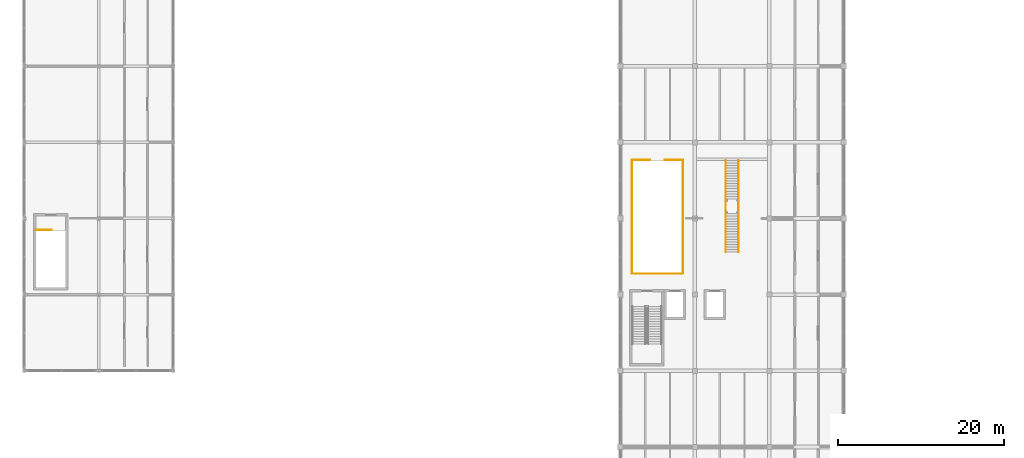
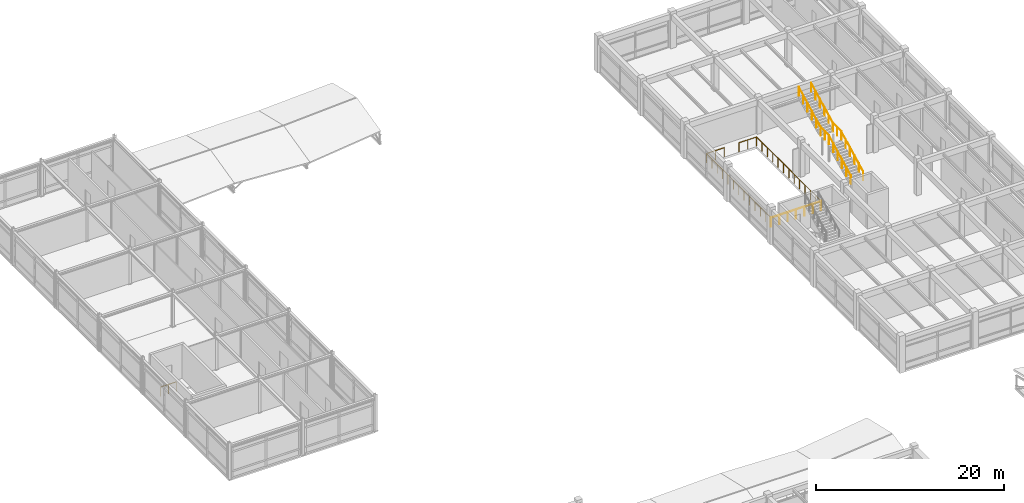
# One storey, part 87 of 90: 12 railings.
"""IFC4 building model written with IfcOpenShell, lengths in metres."""

from ifc_helpers import new_model, si_unit, direction, frame, origin, origin_2d, place, context, subcontext, project, spatial, circle, extrude, material, type_object, element, save


model = new_model("IFC4")

# Units and contexts
model_context = context("Model", 3, precision=1e-05, world=origin(), true_north=direction((0.0, 1.0)))
body_context = subcontext(model_context, "Body", "Model", "MODEL_VIEW")
ifc_project = project(units=[si_unit("LENGTHUNIT", "METRE"), si_unit("AREAUNIT", "SQUARE_METRE"), si_unit("VOLUMEUNIT", "CUBIC_METRE"), si_unit("PLANEANGLEUNIT", "RADIAN"), si_unit("MASSUNIT", "GRAM", prefix="KILO")], contexts=[model_context])

# Site, building, storey
site_placement = place(None, origin())
site = spatial("IfcSite", under=ifc_project, at=site_placement, CompositionType="ELEMENT")
building_placement = place(site_placement, origin())
building = spatial("IfcBuilding", under=site, at=building_placement, Name="Bozkorgan Art Gallery", CompositionType="ELEMENT")
storey_placement = place(building_placement, frame((0.0, 0.0, 5.39990234375)))
storey = spatial("IfcBuildingStorey", under=building, at=storey_placement, Name="L01", CompositionType="ELEMENT", Elevation=5.39990234375)

# Railings
ifc_material = material(Name="Steel S355J2", Category="steel")
railing_type_1 = type_object("IfcRailingType", Name="RAIL-BAL-INT", PredefinedType="BALUSTRADE", material=ifc_material)
railing_1_placement = place(storey_placement, frame((75.419921875, 68.52001953125, 0.0)))
element("IfcRailing", 1, at=railing_1_placement, inside=storey, type_object=railing_type_1, Name="V4 L01 concourse_west_atrium guard S", PredefinedType="BALUSTRADE", context=body_context, shape_type="SweptSolid", body=[
    extrude(circle(Radius=0.02392578125, at=origin_2d()), frame((0.0, 0.0, 1.17578125), z_axis=(1.0, 0.0, 0.0), x_axis=(0.0, 1.0, 0.0)), (0.0, 0.0, 1.0), 6.16015625),
    extrude(circle(Radius=0.02099609375, at=origin_2d()), origin(), (0.0, 0.0, 1.0), 1.15185546875),
    extrude(circle(Radius=0.02099609375, at=origin_2d()), frame((1.026611328125, 0.0, 0.0)), (0.0, 0.0, 1.0), 1.15185546875),
    extrude(circle(Radius=0.02099609375, at=origin_2d()), frame((2.053466796875, 0.0, 0.0)), (0.0, 0.0, 1.0), 1.15185546875),
    extrude(circle(Radius=0.02099609375, at=origin_2d()), frame((3.080078125, 0.0, 0.0)), (0.0, 0.0, 1.0), 1.15185546875),
    extrude(circle(Radius=0.02099609375, at=origin_2d()), frame((4.106689453125, 0.0, 0.0)), (0.0, 0.0, 1.0), 1.15185546875),
    extrude(circle(Radius=0.02099609375, at=origin_2d()), frame((5.133544921875, 0.0, 0.0)), (0.0, 0.0, 1.0), 1.15185546875),
    extrude(circle(Radius=0.02099609375, at=origin_2d()), frame((6.16015625, 0.0, 0.0)), (0.0, 0.0, 1.0), 1.15185546875),
])
railing_2_placement = place(storey_placement, frame((75.419921875, 68.52001953125, 0.0)))
element("IfcRailing", 2, at=railing_2_placement, inside=storey, type_object=railing_type_1, Name="V4 L01 concourse_west_atrium guard W", PredefinedType="BALUSTRADE", context=body_context, shape_type="SweptSolid", body=[
    extrude(circle(Radius=0.02392578125, at=origin_2d()), frame((0.0, 0.0, 1.17578125), z_axis=(0.0, 1.0, 0.0), x_axis=(-1.0, 0.0, 0.0)), (0.0, 0.0, 1.0), 13.760009765625),
    extrude(circle(Radius=0.02099609375, at=origin_2d()), origin(), (0.0, 0.0, 1.0), 1.15185546875),
    extrude(circle(Radius=0.02099609375, at=origin_2d()), frame((0.0, 1.146728515625, 0.0)), (0.0, 0.0, 1.0), 1.15185546875),
    extrude(circle(Radius=0.02099609375, at=origin_2d()), frame((0.0, 2.29345703125, 0.0)), (0.0, 0.0, 1.0), 1.15185546875),
    extrude(circle(Radius=0.02099609375, at=origin_2d()), frame((0.0, 3.43994140625, 0.0)), (0.0, 0.0, 1.0), 1.15185546875),
    extrude(circle(Radius=0.02099609375, at=origin_2d()), frame((0.0, 4.586669921875, 0.0)), (0.0, 0.0, 1.0), 1.15185546875),
    extrude(circle(Radius=0.02099609375, at=origin_2d()), frame((0.0, 5.7333984375, 0.0)), (0.0, 0.0, 1.0), 1.15185546875),
    extrude(circle(Radius=0.02099609375, at=origin_2d()), frame((0.0, 6.8798828125, 0.0)), (0.0, 0.0, 1.0), 1.15185546875),
    extrude(circle(Radius=0.02099609375, at=origin_2d()), frame((0.0, 8.026611328125, 0.0)), (0.0, 0.0, 1.0), 1.15185546875),
    extrude(circle(Radius=0.02099609375, at=origin_2d()), frame((0.0, 9.17333984375, 0.0)), (0.0, 0.0, 1.0), 1.15185546875),
    extrude(circle(Radius=0.02099609375, at=origin_2d()), frame((0.0, 10.320068359375, 0.0)), (0.0, 0.0, 1.0), 1.15185546875),
    extrude(circle(Radius=0.02099609375, at=origin_2d()), frame((0.0, 11.466796875, 0.0)), (0.0, 0.0, 1.0), 1.15185546875),
    extrude(circle(Radius=0.02099609375, at=origin_2d()), frame((0.0, 12.61328125, 0.0)), (0.0, 0.0, 1.0), 1.15185546875),
    extrude(circle(Radius=0.02099609375, at=origin_2d()), frame((0.0, 13.760009765625, 0.0)), (0.0, 0.0, 1.0), 1.15185546875),
])
railing_3_placement = place(storey_placement, frame((81.580078125, 68.52001953125, 0.0)))
element("IfcRailing", 3, at=railing_3_placement, inside=storey, type_object=railing_type_1, Name="V4 L01 concourse_west_atrium guard E", PredefinedType="BALUSTRADE", context=body_context, shape_type="SweptSolid", body=[
    extrude(circle(Radius=0.02392578125, at=origin_2d()), frame((0.0, 0.0, 1.17578125), z_axis=(0.0, 1.0, 0.0), x_axis=(-1.0, 0.0, 0.0)), (0.0, 0.0, 1.0), 13.760009765625),
    extrude(circle(Radius=0.02099609375, at=origin_2d()), origin(), (0.0, 0.0, 1.0), 1.15185546875),
    extrude(circle(Radius=0.02099609375, at=origin_2d()), frame((0.0, 1.146728515625, 0.0)), (0.0, 0.0, 1.0), 1.15185546875),
    extrude(circle(Radius=0.02099609375, at=origin_2d()), frame((0.0, 2.29345703125, 0.0)), (0.0, 0.0, 1.0), 1.15185546875),
    extrude(circle(Radius=0.02099609375, at=origin_2d()), frame((0.0, 3.43994140625, 0.0)), (0.0, 0.0, 1.0), 1.15185546875),
    extrude(circle(Radius=0.02099609375, at=origin_2d()), frame((0.0, 4.586669921875, 0.0)), (0.0, 0.0, 1.0), 1.15185546875),
    extrude(circle(Radius=0.02099609375, at=origin_2d()), frame((0.0, 5.7333984375, 0.0)), (0.0, 0.0, 1.0), 1.15185546875),
    extrude(circle(Radius=0.02099609375, at=origin_2d()), frame((0.0, 6.8798828125, 0.0)), (0.0, 0.0, 1.0), 1.15185546875),
    extrude(circle(Radius=0.02099609375, at=origin_2d()), frame((0.0, 8.026611328125, 0.0)), (0.0, 0.0, 1.0), 1.15185546875),
    extrude(circle(Radius=0.02099609375, at=origin_2d()), frame((0.0, 9.17333984375, 0.0)), (0.0, 0.0, 1.0), 1.15185546875),
    extrude(circle(Radius=0.02099609375, at=origin_2d()), frame((0.0, 10.320068359375, 0.0)), (0.0, 0.0, 1.0), 1.15185546875),
    extrude(circle(Radius=0.02099609375, at=origin_2d()), frame((0.0, 11.466796875, 0.0)), (0.0, 0.0, 1.0), 1.15185546875),
    extrude(circle(Radius=0.02099609375, at=origin_2d()), frame((0.0, 12.61328125, 0.0)), (0.0, 0.0, 1.0), 1.15185546875),
    extrude(circle(Radius=0.02099609375, at=origin_2d()), frame((0.0, 13.760009765625, 0.0)), (0.0, 0.0, 1.0), 1.15185546875),
])
for number, where, name in (
    (4, (75.419921875, 82.280029296875, 0.0), "V4 L01 concourse_west_atrium guard N1"),
    (5, (79.39990234375, 82.280029296875, 0.0), "V4 L01 concourse_west_atrium guard N2"),
):
    element("IfcRailing", number, at=place(storey_placement, frame(where)), inside=storey, type_object=railing_type_1, Name=name, PredefinedType="BALUSTRADE", context=body_context, shape_type="SweptSolid", body=[
        extrude(circle(Radius=0.02392578125, at=origin_2d()), frame((0.0, 0.0, 1.17578125), z_axis=(1.0, 0.0, 0.0), x_axis=(0.0, 1.0, 0.0)), (0.0, 0.0, 1.0), 2.18017578125),
        extrude(circle(Radius=0.02099609375, at=origin_2d()), origin(), (0.0, 0.0, 1.0), 1.15185546875),
        extrude(circle(Radius=0.02099609375, at=origin_2d()), frame((1.090087890625, 0.0, 0.0)), (0.0, 0.0, 1.0), 1.15185546875),
        extrude(circle(Radius=0.02099609375, at=origin_2d()), frame((2.18017578125, 0.0, 0.0)), (0.0, 0.0, 1.0), 1.15185546875),
    ])
railing_type_2 = type_object("IfcRailingType", Name="RAIL-GRD-115", PredefinedType="GUARDRAIL", material=ifc_material)
railing_4_placement = place(storey_placement, frame((3.39990234375, 73.800048828125, 0.0)))
element("IfcRailing", 6, at=railing_4_placement, inside=storey, type_object=railing_type_2, Name="L01 ST5 top well guard 1", PredefinedType="GUARDRAIL", context=body_context, shape_type="SweptSolid", body=[
    extrude(circle(Radius=0.02392578125, at=origin_2d()), frame((0.0, 0.0, 1.17578125), z_axis=(1.0, 0.0, 0.0), x_axis=(0.0, 1.0, 0.0)), (0.0, 0.0, 1.0), 1.900146484375),
    extrude(circle(Radius=0.02099609375, at=origin_2d()), origin(), (0.0, 0.0, 1.0), 1.15185546875),
    extrude(circle(Radius=0.02099609375, at=origin_2d()), frame((0.9501953125, 0.0, 0.0)), (0.0, 0.0, 1.0), 1.15185546875),
    extrude(circle(Radius=0.02099609375, at=origin_2d()), frame((1.900146484375, 0.0, 0.0)), (0.0, 0.0, 1.0), 1.15185546875),
])
railing_5_placement = place(storey_placement, frame((86.739990234375, 71.1298828125, 0.0)))
element("IfcRailing", 7, at=railing_5_placement, inside=storey, type_object=railing_type_2, Name="ST10 lower guard W", PredefinedType="GUARDRAIL", context=body_context, shape_type="SweptSolid", body=[
    extrude(circle(Radius=0.02392578125, at=origin_2d()), frame((0.0, 0.0, 1.1259765625), z_axis=(0.0, 0.888615136737, 0.458653615229), x_axis=(-1.0, 0.0, 0.0)), (0.0, 0.0, 1.0), 5.23291015625),
    extrude(circle(Radius=0.02099609375, at=origin_2d()), origin(), (0.0, 0.0, 1.0), 1.101806640625),
    extrude(circle(Radius=0.02099609375, at=origin_2d()), frame((0.0, 0.929931640625, 0.47998046875)), (0.0, 0.0, 1.0), 1.101806640625),
    extrude(circle(Radius=0.02099609375, at=origin_2d()), frame((0.0, 1.860107421875, 0.9599609375)), (0.0, 0.0, 1.0), 1.101806640625),
    extrude(circle(Radius=0.02099609375, at=origin_2d()), frame((0.0, 2.7900390625, 1.440185546875)), (0.0, 0.0, 1.0), 1.101806640625),
    extrude(circle(Radius=0.02099609375, at=origin_2d()), frame((0.0, 3.72021484375, 1.920166015625)), (0.0, 0.0, 1.0), 1.101806640625),
    extrude(circle(Radius=0.02099609375, at=origin_2d()), frame((0.0, 4.650146484375, 2.400146484375)), (0.0, 0.0, 1.0), 1.101806640625),
])
railing_6_placement = place(storey_placement, frame((86.739990234375, 75.780029296875, 2.400146484375)))
element("IfcRailing", 8, at=railing_6_placement, inside=storey, type_object=railing_type_2, Name="ST10 landing guard W", PredefinedType="GUARDRAIL", context=body_context, shape_type="SweptSolid", body=[
    extrude(circle(Radius=0.02392578125, at=origin_2d()), frame((0.0, 0.0, 1.1259765625), z_axis=(0.0, 1.0, 0.0), x_axis=(-1.0, 0.0, 0.0)), (0.0, 0.0, 1.0), 1.77001953125),
    extrude(circle(Radius=0.02099609375, at=origin_2d()), origin(), (0.0, 0.0, 1.0), 1.101806640625),
    extrude(circle(Radius=0.02099609375, at=origin_2d()), frame((0.0, 0.885009765625, 0.0)), (0.0, 0.0, 1.0), 1.101806640625),
    extrude(circle(Radius=0.02099609375, at=origin_2d()), frame((0.0, 1.77001953125, 0.0)), (0.0, 0.0, 1.0), 1.101806640625),
])
railing_7_placement = place(storey_placement, frame((86.739990234375, 77.550048828125, 2.400146484375)))
element("IfcRailing", 9, at=railing_7_placement, inside=storey, type_object=railing_type_2, Name="ST10 upper guard W", PredefinedType="GUARDRAIL", context=body_context, shape_type="SweptSolid", body=[
    extrude(circle(Radius=0.02392578125, at=origin_2d()), frame((0.0, 0.0, 1.1259765625), z_axis=(0.0, 0.888624337427, 0.45863578898), x_axis=(-1.0, 0.0, 0.0)), (0.0, 0.0, 1.0), 5.232666015625),
    extrude(circle(Radius=0.02099609375, at=origin_2d()), origin(), (0.0, 0.0, 1.0), 1.101806640625),
    extrude(circle(Radius=0.02099609375, at=origin_2d()), frame((0.0, 0.929931640625, 0.47998046875)), (0.0, 0.0, 1.0), 1.101806640625),
    extrude(circle(Radius=0.02099609375, at=origin_2d()), frame((0.0, 1.85986328125, 0.9599609375)), (0.0, 0.0, 1.0), 1.101806640625),
    extrude(circle(Radius=0.02099609375, at=origin_2d()), frame((0.0, 2.7900390625, 1.43994140625)), (0.0, 0.0, 1.0), 1.101806640625),
    extrude(circle(Radius=0.02099609375, at=origin_2d()), frame((0.0, 3.719970703125, 1.919921875)), (0.0, 0.0, 1.0), 1.101806640625),
    extrude(circle(Radius=0.02099609375, at=origin_2d()), frame((0.0, 4.64990234375, 2.39990234375)), (0.0, 0.0, 1.0), 1.101806640625),
])
railing_8_placement = place(storey_placement, frame((88.260009765625, 71.1298828125, 0.0)))
element("IfcRailing", 10, at=railing_8_placement, inside=storey, type_object=railing_type_2, Name="ST10 lower guard E", PredefinedType="GUARDRAIL", context=body_context, shape_type="SweptSolid", body=[
    extrude(circle(Radius=0.02392578125, at=origin_2d()), frame((0.0, 0.0, 1.1259765625), z_axis=(0.0, 0.888615136737, 0.458653615229), x_axis=(-1.0, 0.0, 0.0)), (0.0, 0.0, 1.0), 5.23291015625),
    extrude(circle(Radius=0.02099609375, at=origin_2d()), origin(), (0.0, 0.0, 1.0), 1.101806640625),
    extrude(circle(Radius=0.02099609375, at=origin_2d()), frame((0.0, 0.929931640625, 0.47998046875)), (0.0, 0.0, 1.0), 1.101806640625),
    extrude(circle(Radius=0.02099609375, at=origin_2d()), frame((0.0, 1.860107421875, 0.9599609375)), (0.0, 0.0, 1.0), 1.101806640625),
    extrude(circle(Radius=0.02099609375, at=origin_2d()), frame((0.0, 2.7900390625, 1.440185546875)), (0.0, 0.0, 1.0), 1.101806640625),
    extrude(circle(Radius=0.02099609375, at=origin_2d()), frame((0.0, 3.72021484375, 1.920166015625)), (0.0, 0.0, 1.0), 1.101806640625),
    extrude(circle(Radius=0.02099609375, at=origin_2d()), frame((0.0, 4.650146484375, 2.400146484375)), (0.0, 0.0, 1.0), 1.101806640625),
])
railing_9_placement = place(storey_placement, frame((88.260009765625, 75.780029296875, 2.400146484375)))
element("IfcRailing", 11, at=railing_9_placement, inside=storey, type_object=railing_type_2, Name="ST10 landing guard E", PredefinedType="GUARDRAIL", context=body_context, shape_type="SweptSolid", body=[
    extrude(circle(Radius=0.02392578125, at=origin_2d()), frame((0.0, 0.0, 1.1259765625), z_axis=(0.0, 1.0, 0.0), x_axis=(-1.0, 0.0, 0.0)), (0.0, 0.0, 1.0), 1.77001953125),
    extrude(circle(Radius=0.02099609375, at=origin_2d()), origin(), (0.0, 0.0, 1.0), 1.101806640625),
    extrude(circle(Radius=0.02099609375, at=origin_2d()), frame((0.0, 0.885009765625, 0.0)), (0.0, 0.0, 1.0), 1.101806640625),
    extrude(circle(Radius=0.02099609375, at=origin_2d()), frame((0.0, 1.77001953125, 0.0)), (0.0, 0.0, 1.0), 1.101806640625),
])
railing_10_placement = place(storey_placement, frame((88.260009765625, 77.550048828125, 2.400146484375)))
element("IfcRailing", 12, at=railing_10_placement, inside=storey, type_object=railing_type_2, Name="ST10 upper guard E", PredefinedType="GUARDRAIL", context=body_context, shape_type="SweptSolid", body=[
    extrude(circle(Radius=0.02392578125, at=origin_2d()), frame((0.0, 0.0, 1.1259765625), z_axis=(0.0, 0.888624337427, 0.45863578898), x_axis=(-1.0, 0.0, 0.0)), (0.0, 0.0, 1.0), 5.232666015625),
    extrude(circle(Radius=0.02099609375, at=origin_2d()), origin(), (0.0, 0.0, 1.0), 1.101806640625),
    extrude(circle(Radius=0.02099609375, at=origin_2d()), frame((0.0, 0.929931640625, 0.47998046875)), (0.0, 0.0, 1.0), 1.101806640625),
    extrude(circle(Radius=0.02099609375, at=origin_2d()), frame((0.0, 1.85986328125, 0.9599609375)), (0.0, 0.0, 1.0), 1.101806640625),
    extrude(circle(Radius=0.02099609375, at=origin_2d()), frame((0.0, 2.7900390625, 1.43994140625)), (0.0, 0.0, 1.0), 1.101806640625),
    extrude(circle(Radius=0.02099609375, at=origin_2d()), frame((0.0, 3.719970703125, 1.919921875)), (0.0, 0.0, 1.0), 1.101806640625),
    extrude(circle(Radius=0.02099609375, at=origin_2d()), frame((0.0, 4.64990234375, 2.39990234375)), (0.0, 0.0, 1.0), 1.101806640625),
])

save(model, "model.ifc")
